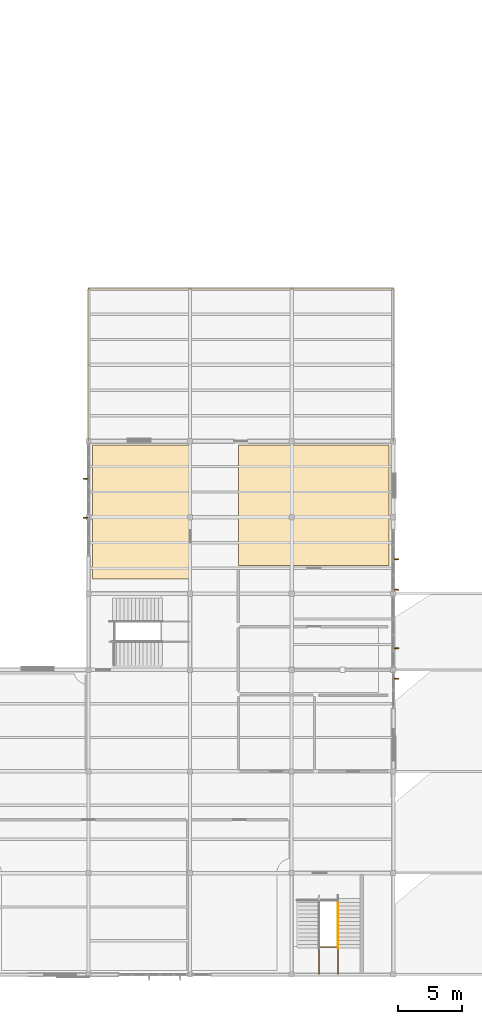
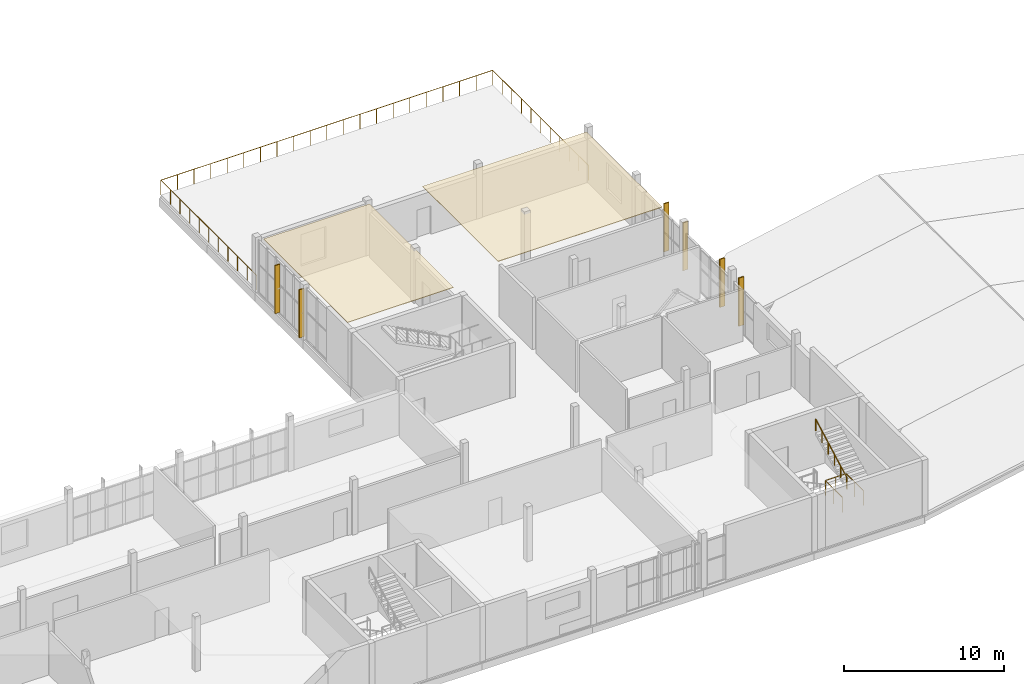
# One storey, part 45 of 45: 6 shading devices, 3 railings, 2 coverings.
"""IFC4 building model written with IfcOpenShell, lengths in metres."""

from ifc_helpers import new_model, si_unit, direction, frame, origin, origin_2d, place, context, subcontext, project, spatial, polyline, rectangle, circle, outline, extrude, material, layer, layer_set, type_object, element, save


model = new_model("IFC4")

# Units and contexts
model_context = context("Model", 3, precision=1e-05, world=origin(), true_north=direction((0.0, 1.0)))
body_context = subcontext(model_context, "Body", "Model", "MODEL_VIEW")
ifc_project = project(units=[si_unit("LENGTHUNIT", "METRE"), si_unit("AREAUNIT", "SQUARE_METRE"), si_unit("VOLUMEUNIT", "CUBIC_METRE"), si_unit("PLANEANGLEUNIT", "RADIAN"), si_unit("MASSUNIT", "GRAM", prefix="KILO")], contexts=[model_context])

# Site, building, storey
site_placement = place(None, origin())
site = spatial("IfcSite", under=ifc_project, at=site_placement, CompositionType="ELEMENT")
building_placement = place(site_placement, origin())
building = spatial("IfcBuilding", under=site, at=building_placement, Name="Solvane Community Centre", CompositionType="ELEMENT")
storey_placement = place(building_placement, frame((0.0, 0.0, 13.800048828125)))
storey = spatial("IfcBuildingStorey", under=building, at=storey_placement, Name="L03", CompositionType="ELEMENT", Elevation=13.800048828125)

# Coverings
ifc_material_1 = material(Name="Acoustic timber slat ceiling", Category="wood")
ifc_layer = layer(ifc_material_1, 0.0400390625)
ifc_layer_set = layer_set([ifc_layer], Name="Acoustic timber slat ceiling")
covering_type = type_object("IfcCoveringType", Name="Acoustic Timber Slat Suspended Ceiling", PredefinedType="CEILING", material=ifc_layer_set)
covering_1_placement = place(storey_placement, frame((0.0, 0.0, 3.954833984375)))
element("IfcCovering", 1, at=covering_1_placement, inside=storey, type_object=covering_type, Name="Acoustic Ceiling L03-13", PredefinedType="CEILING", context=body_context, shape_type="SweptSolid", body=[
    extrude(outline(polyline([(116.320068359375, 47.679931640625), (123.97998046875, 47.679931640625), (123.97998046875, 37.159912109375), (116.320068359375, 37.159912109375), (116.320068359375, 47.679931640625)])), origin(), (0.0, 0.0, 1.0), 0.0400390625),
])
covering_2_placement = place(storey_placement, frame((0.0, 0.0, 3.954833984375)))
element("IfcCovering", 2, at=covering_2_placement, inside=storey, type_object=covering_type, Name="Acoustic Ceiling L03-15", PredefinedType="CEILING", context=body_context, shape_type="SweptSolid", body=[
    extrude(outline(polyline([(127.820068359375, 38.219970703125), (127.820068359375, 47.679931640625), (139.679931640625, 47.679931640625), (139.679931640625, 38.219970703125), (127.820068359375, 38.219970703125)])), origin(), (0.0, 0.0, 1.0), 0.0400390625),
])

# Shading devices
ifc_material_2 = material(Name="Anodised bronze aluminium AW-6063 T6", Category="aluminium")
shading_device_type = type_object("IfcShadingDeviceType", Name="Art Deco Bronze Solar Fin 80x360", PredefinedType="USERDEFINED", material=ifc_material_2)
shading_device_1_placement = place(storey_placement, frame((115.760009765625, 41.969970703125, 0.14990234375), z_axis=(0.0, 0.0, 1.0), x_axis=(0.0, 1.0, 0.0)))
element("IfcShadingDevice", 3, at=shading_device_1_placement, inside=storey, type_object=shading_device_type, Name="Solar Brise-Soleil Fin 115", ObjectType="Solar Brise-Soleil Fin 115", PredefinedType="USERDEFINED", context=body_context, shape_type="SweptSolid", body=[
    extrude(rectangle(XDim=0.080078125, YDim=0.360107421875, at=origin_2d()), origin(), (0.0, 0.0, 1.0), 3.679931640625),
])
shading_device_2_placement = place(storey_placement, frame((115.760009765625, 45.030029296875, 0.14990234375), z_axis=(0.0, 0.0, 1.0), x_axis=(0.0, 1.0, 0.0)))
element("IfcShadingDevice", 4, at=shading_device_2_placement, inside=storey, type_object=shading_device_type, Name="Solar Brise-Soleil Fin 116", ObjectType="Solar Brise-Soleil Fin 116", PredefinedType="USERDEFINED", context=body_context, shape_type="SweptSolid", body=[
    extrude(rectangle(XDim=0.080078125, YDim=0.360107421875, at=origin_2d()), origin(), (0.0, 0.0, 1.0), 3.679931640625),
])
shading_device_3_placement = place(storey_placement, frame((140.239990234375, 38.68994140625, 0.14990234375), z_axis=(0.0, 0.0, 1.0), x_axis=(0.0, -1.0, 0.0)))
element("IfcShadingDevice", 5, at=shading_device_3_placement, inside=storey, type_object=shading_device_type, Name="Solar Brise-Soleil Fin 117", ObjectType="Solar Brise-Soleil Fin 117", PredefinedType="USERDEFINED", context=body_context, shape_type="SweptSolid", body=[
    extrude(rectangle(XDim=0.080078125, YDim=0.360107421875, at=origin_2d()), origin(), (0.0, 0.0, 1.0), 3.679931640625),
])
shading_device_4_placement = place(storey_placement, frame((140.239990234375, 36.31005859375, 0.14990234375), z_axis=(0.0, 0.0, 1.0), x_axis=(0.0, -1.0, 0.0)))
element("IfcShadingDevice", 6, at=shading_device_4_placement, inside=storey, type_object=shading_device_type, Name="Solar Brise-Soleil Fin 118", ObjectType="Solar Brise-Soleil Fin 118", PredefinedType="USERDEFINED", context=body_context, shape_type="SweptSolid", body=[
    extrude(rectangle(XDim=0.080078125, YDim=0.360107421875, at=origin_2d()), origin(), (0.0, 0.0, 1.0), 3.679931640625),
])
shading_device_5_placement = place(storey_placement, frame((140.239990234375, 31.68994140625, 0.14990234375), z_axis=(0.0, 0.0, 1.0), x_axis=(0.0, -1.0, 0.0)))
element("IfcShadingDevice", 7, at=shading_device_5_placement, inside=storey, type_object=shading_device_type, Name="Solar Brise-Soleil Fin 119", ObjectType="Solar Brise-Soleil Fin 119", PredefinedType="USERDEFINED", context=body_context, shape_type="SweptSolid", body=[
    extrude(rectangle(XDim=0.080078125, YDim=0.360107421875, at=origin_2d()), origin(), (0.0, 0.0, 1.0), 3.679931640625),
])
shading_device_6_placement = place(storey_placement, frame((140.239990234375, 29.31005859375, 0.14990234375), z_axis=(0.0, 0.0, 1.0), x_axis=(0.0, -1.0, 0.0)))
element("IfcShadingDevice", 8, at=shading_device_6_placement, inside=storey, type_object=shading_device_type, Name="Solar Brise-Soleil Fin 120", ObjectType="Solar Brise-Soleil Fin 120", PredefinedType="USERDEFINED", context=body_context, shape_type="SweptSolid", body=[
    extrude(rectangle(XDim=0.080078125, YDim=0.360107421875, at=origin_2d()), origin(), (0.0, 0.0, 1.0), 3.679931640625),
])

# Railings
railing_type_1 = type_object("IfcRailingType", Name="Interior Gallery & Stair Well Guard 1150mm", PredefinedType="BALUSTRADE", material=ifc_material_2)
railing_1_placement = place(storey_placement, frame((134.14990234375, 6.06005859375, 2.099853515625)))
element("IfcRailing", 9, at=railing_1_placement, inside=storey, type_object=railing_type_1, Name="Railing GR-L03-054", PredefinedType="BALUSTRADE", context=body_context, shape_type="SweptSolid", body=[
    extrude(circle(Radius=0.02392578125, at=origin_2d()), frame((0.0, 0.0, 1.1259765625), z_axis=(0.0, 1.0, 0.0), x_axis=(-1.0, 0.0, 0.0)), (0.0, 0.0, 1.0), 2.119873046875),
    extrude(circle(Radius=0.02392578125, at=origin_2d()), frame((0.0, 2.119873046875, 1.1259765625), z_axis=(1.0, 0.0, 0.0), x_axis=(0.0, 1.0, 0.0)), (0.0, 0.0, 1.0), 1.5),
    extrude(circle(Radius=0.02392578125, at=origin_2d()), frame((1.5, 2.119873046875, 1.1259765625), z_axis=(0.0, -1.0, 0.0), x_axis=(1.0, 0.0, 0.0)), (0.0, 0.0, 1.0), 2.119873046875),
    extrude(circle(Radius=0.02099609375, at=origin_2d()), origin(), (0.0, 0.0, 1.0), 1.101806640625),
    extrude(circle(Radius=0.02099609375, at=origin_2d()), frame((0.0, 1.06005859375, 0.0)), (0.0, 0.0, 1.0), 1.101806640625),
    extrude(circle(Radius=0.02099609375, at=origin_2d()), frame((0.0, 2.119873046875, 0.0)), (0.0, 0.0, 1.0), 1.101806640625),
    extrude(circle(Radius=0.02099609375, at=origin_2d()), frame((0.75, 2.119873046875, 0.0)), (0.0, 0.0, 1.0), 1.101806640625),
    extrude(circle(Radius=0.02099609375, at=origin_2d()), frame((1.5, 2.119873046875, 0.0)), (0.0, 0.0, 1.0), 1.101806640625),
    extrude(circle(Radius=0.02099609375, at=origin_2d()), frame((1.5, 1.06005859375, 0.0)), (0.0, 0.0, 1.0), 1.101806640625),
    extrude(circle(Radius=0.02099609375, at=origin_2d()), frame((1.5, 0.0, 0.0)), (0.0, 0.0, 1.0), 1.101806640625),
])
railing_type_2 = type_object("IfcRailingType", Name="Stair Pitch Handrail 900mm", PredefinedType="HANDRAIL", material=ifc_material_2)
railing_2_placement = place(storey_placement, frame((135.64990234375, 8.080078125, 2.099853515625)))
element("IfcRailing", 10, at=railing_2_placement, inside=storey, type_object=railing_type_2, Name="Railing HR-L03-053", PredefinedType="HANDRAIL", context=body_context, shape_type="SweptSolid", body=[
    extrude(circle(Radius=0.02392578125, at=origin_2d()), frame((0.0, 0.0, 0.8759765625), z_axis=(0.0, 0.881466911329, 0.472245787945), x_axis=(-1.0, 0.0, 0.0)), (0.0, 0.0, 1.0), 4.447021484375),
    extrude(circle(Radius=0.02099609375, at=origin_2d()), origin(), (0.0, 0.0, 1.0), 0.851806640625),
    extrude(circle(Radius=0.02099609375, at=origin_2d()), frame((0.0, 0.783935546875, 0.419921875)), (0.0, 0.0, 1.0), 0.851806640625),
    extrude(circle(Radius=0.02099609375, at=origin_2d()), frame((0.0, 1.56787109375, 0.840087890625)), (0.0, 0.0, 1.0), 0.851806640625),
    extrude(circle(Radius=0.02099609375, at=origin_2d()), frame((0.0, 2.35205078125, 1.260009765625)), (0.0, 0.0, 1.0), 0.851806640625),
    extrude(circle(Radius=0.02099609375, at=origin_2d()), frame((0.0, 3.135986328125, 1.68017578125)), (0.0, 0.0, 1.0), 0.851806640625),
    extrude(circle(Radius=0.02099609375, at=origin_2d()), frame((0.0, 3.919921875, 2.10009765625)), (0.0, 0.0, 1.0), 0.851806640625),
])
railing_type_3 = type_object("IfcRailingType", Name="Terrace Art Deco Guard Balustrade 1150mm", PredefinedType="BALUSTRADE", material=ifc_material_2)
railing_3_placement = place(storey_placement, frame((116.0, 48.0, 0.0)))
element("IfcRailing", 11, at=railing_3_placement, inside=storey, type_object=railing_type_3, Name="Terrace Guard GRD-TER-006", PredefinedType="BALUSTRADE", context=body_context, shape_type="SweptSolid", body=[
    extrude(circle(Radius=0.02392578125, at=origin_2d()), frame((0.0, 0.0, 1.1259765625), z_axis=(0.0, 1.0, 0.0), x_axis=(-1.0, 0.0, 0.0)), (0.0, 0.0, 1.0), 12.0),
    extrude(circle(Radius=0.02392578125, at=origin_2d()), frame((0.0, 12.0, 1.1259765625), z_axis=(1.0, 0.0, 0.0), x_axis=(0.0, 1.0, 0.0)), (0.0, 0.0, 1.0), 24.0),
    extrude(circle(Radius=0.02392578125, at=origin_2d()), frame((24.0, 12.0, 1.1259765625), z_axis=(0.0, -1.0, 0.0), x_axis=(1.0, 0.0, 0.0)), (0.0, 0.0, 1.0), 12.0),
    extrude(circle(Radius=0.02099609375, at=origin_2d()), origin(), (0.0, 0.0, 1.0), 1.101806640625),
    extrude(circle(Radius=0.02099609375, at=origin_2d()), frame((0.0, 1.199951171875, 0.0)), (0.0, 0.0, 1.0), 1.101806640625),
    extrude(circle(Radius=0.02099609375, at=origin_2d()), frame((0.0, 2.39990234375, 0.0)), (0.0, 0.0, 1.0), 1.101806640625),
    extrude(circle(Radius=0.02099609375, at=origin_2d()), frame((0.0, 3.60009765625, 0.0)), (0.0, 0.0, 1.0), 1.101806640625),
    extrude(circle(Radius=0.02099609375, at=origin_2d()), frame((0.0, 4.800048828125, 0.0)), (0.0, 0.0, 1.0), 1.101806640625),
    extrude(circle(Radius=0.02099609375, at=origin_2d()), frame((0.0, 6.0, 0.0)), (0.0, 0.0, 1.0), 1.101806640625),
    extrude(circle(Radius=0.02099609375, at=origin_2d()), frame((0.0, 7.199951171875, 0.0)), (0.0, 0.0, 1.0), 1.101806640625),
    extrude(circle(Radius=0.02099609375, at=origin_2d()), frame((0.0, 8.39990234375, 0.0)), (0.0, 0.0, 1.0), 1.101806640625),
    extrude(circle(Radius=0.02099609375, at=origin_2d()), frame((0.0, 9.60009765625, 0.0)), (0.0, 0.0, 1.0), 1.101806640625),
    extrude(circle(Radius=0.02099609375, at=origin_2d()), frame((0.0, 10.800048828125, 0.0)), (0.0, 0.0, 1.0), 1.101806640625),
    extrude(circle(Radius=0.02099609375, at=origin_2d()), frame((0.0, 12.0, 0.0)), (0.0, 0.0, 1.0), 1.101806640625),
    extrude(circle(Radius=0.02099609375, at=origin_2d()), frame((1.199951171875, 12.0, 0.0)), (0.0, 0.0, 1.0), 1.101806640625),
    extrude(circle(Radius=0.02099609375, at=origin_2d()), frame((2.39990234375, 12.0, 0.0)), (0.0, 0.0, 1.0), 1.101806640625),
    extrude(circle(Radius=0.02099609375, at=origin_2d()), frame((3.60009765625, 12.0, 0.0)), (0.0, 0.0, 1.0), 1.101806640625),
    extrude(circle(Radius=0.02099609375, at=origin_2d()), frame((4.800048828125, 12.0, 0.0)), (0.0, 0.0, 1.0), 1.101806640625),
    extrude(circle(Radius=0.02099609375, at=origin_2d()), frame((6.0, 12.0, 0.0)), (0.0, 0.0, 1.0), 1.101806640625),
    extrude(circle(Radius=0.02099609375, at=origin_2d()), frame((7.199951171875, 12.0, 0.0)), (0.0, 0.0, 1.0), 1.101806640625),
    extrude(circle(Radius=0.02099609375, at=origin_2d()), frame((8.39990234375, 12.0, 0.0)), (0.0, 0.0, 1.0), 1.101806640625),
    extrude(circle(Radius=0.02099609375, at=origin_2d()), frame((9.60009765625, 12.0, 0.0)), (0.0, 0.0, 1.0), 1.101806640625),
    extrude(circle(Radius=0.02099609375, at=origin_2d()), frame((10.800048828125, 12.0, 0.0)), (0.0, 0.0, 1.0), 1.101806640625),
    extrude(circle(Radius=0.02099609375, at=origin_2d()), frame((12.0, 12.0, 0.0)), (0.0, 0.0, 1.0), 1.101806640625),
    extrude(circle(Radius=0.02099609375, at=origin_2d()), frame((13.199951171875, 12.0, 0.0)), (0.0, 0.0, 1.0), 1.101806640625),
    extrude(circle(Radius=0.02099609375, at=origin_2d()), frame((14.39990234375, 12.0, 0.0)), (0.0, 0.0, 1.0), 1.101806640625),
    extrude(circle(Radius=0.02099609375, at=origin_2d()), frame((15.60009765625, 12.0, 0.0)), (0.0, 0.0, 1.0), 1.101806640625),
    extrude(circle(Radius=0.02099609375, at=origin_2d()), frame((16.800048828125, 12.0, 0.0)), (0.0, 0.0, 1.0), 1.101806640625),
    extrude(circle(Radius=0.02099609375, at=origin_2d()), frame((18.0, 12.0, 0.0)), (0.0, 0.0, 1.0), 1.101806640625),
    extrude(circle(Radius=0.02099609375, at=origin_2d()), frame((19.199951171875, 12.0, 0.0)), (0.0, 0.0, 1.0), 1.101806640625),
    extrude(circle(Radius=0.02099609375, at=origin_2d()), frame((20.39990234375, 12.0, 0.0)), (0.0, 0.0, 1.0), 1.101806640625),
    extrude(circle(Radius=0.02099609375, at=origin_2d()), frame((21.60009765625, 12.0, 0.0)), (0.0, 0.0, 1.0), 1.101806640625),
    extrude(circle(Radius=0.02099609375, at=origin_2d()), frame((22.800048828125, 12.0, 0.0)), (0.0, 0.0, 1.0), 1.101806640625),
    extrude(circle(Radius=0.02099609375, at=origin_2d()), frame((24.0, 12.0, 0.0)), (0.0, 0.0, 1.0), 1.101806640625),
    extrude(circle(Radius=0.02099609375, at=origin_2d()), frame((24.0, 10.800048828125, 0.0)), (0.0, 0.0, 1.0), 1.101806640625),
    extrude(circle(Radius=0.02099609375, at=origin_2d()), frame((24.0, 9.60009765625, 0.0)), (0.0, 0.0, 1.0), 1.101806640625),
    extrude(circle(Radius=0.02099609375, at=origin_2d()), frame((24.0, 8.39990234375, 0.0)), (0.0, 0.0, 1.0), 1.101806640625),
    extrude(circle(Radius=0.02099609375, at=origin_2d()), frame((24.0, 7.199951171875, 0.0)), (0.0, 0.0, 1.0), 1.101806640625),
    extrude(circle(Radius=0.02099609375, at=origin_2d()), frame((24.0, 6.0, 0.0)), (0.0, 0.0, 1.0), 1.101806640625),
    extrude(circle(Radius=0.02099609375, at=origin_2d()), frame((24.0, 4.800048828125, 0.0)), (0.0, 0.0, 1.0), 1.101806640625),
    extrude(circle(Radius=0.02099609375, at=origin_2d()), frame((24.0, 3.60009765625, 0.0)), (0.0, 0.0, 1.0), 1.101806640625),
    extrude(circle(Radius=0.02099609375, at=origin_2d()), frame((24.0, 2.39990234375, 0.0)), (0.0, 0.0, 1.0), 1.101806640625),
    extrude(circle(Radius=0.02099609375, at=origin_2d()), frame((24.0, 1.199951171875, 0.0)), (0.0, 0.0, 1.0), 1.101806640625),
    extrude(circle(Radius=0.02099609375, at=origin_2d()), frame((24.0, 0.0, 0.0)), (0.0, 0.0, 1.0), 1.101806640625),
])

save(model, "model.ifc")
